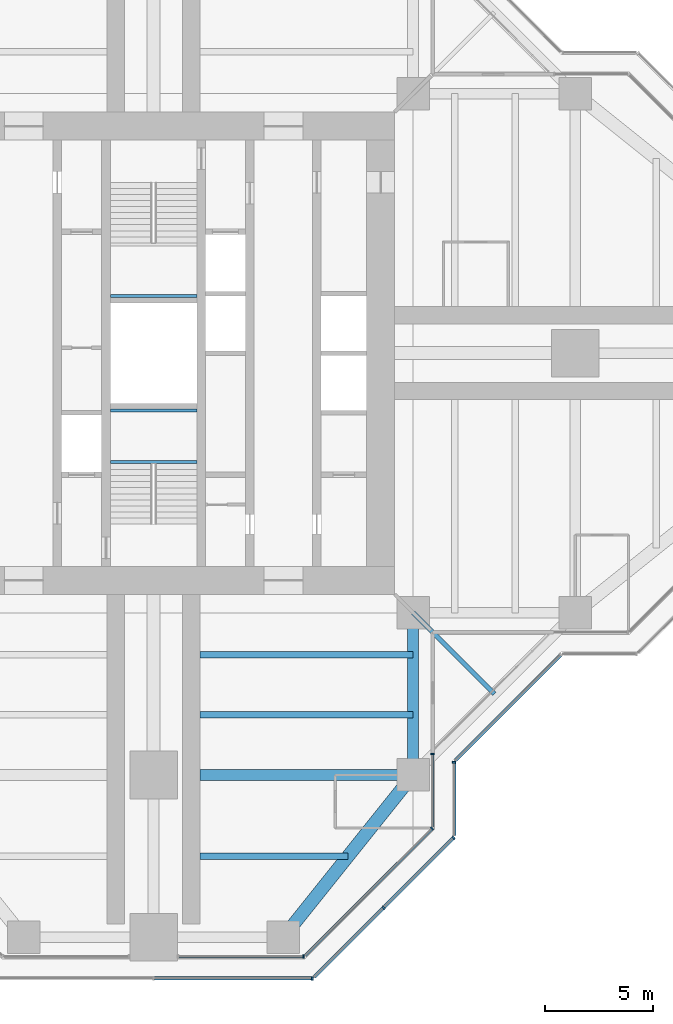
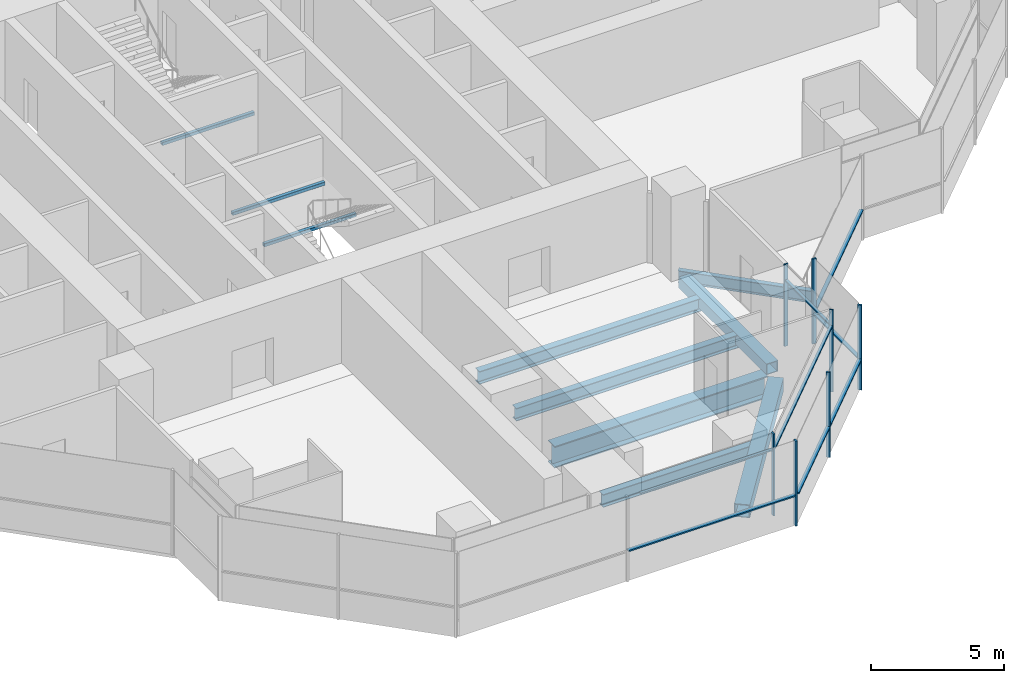
# One storey, part 4 of 17: 15 members, 10 beams, 7 elements without a shape of their own.
"""IFC4 building model written with IfcOpenShell, lengths in metres."""

from ifc_helpers import new_model, si_unit, direction, frame, origin, origin_2d, place, context, subcontext, project, spatial, rectangle, hollow_rectangle, i_section, extrude, material, material_profile, profile_set, type_object, element, aggregate, save


model = new_model("IFC4")

# Units and contexts
model_context = context("Model", 3, precision=1e-05, world=origin(), true_north=direction((0.0, 1.0)))
body_context = subcontext(model_context, "Body", "Model", "MODEL_VIEW")
ifc_project = project(units=[si_unit("LENGTHUNIT", "METRE"), si_unit("AREAUNIT", "SQUARE_METRE"), si_unit("VOLUMEUNIT", "CUBIC_METRE"), si_unit("PLANEANGLEUNIT", "RADIAN"), si_unit("MASSUNIT", "GRAM", prefix="KILO")], contexts=[model_context])

# Site, building, storey
site_placement = place(None, origin())
site = spatial("IfcSite", under=ifc_project, at=site_placement, CompositionType="ELEMENT")
building_placement = place(site_placement, origin())
building = spatial("IfcBuilding", under=site, at=building_placement, Name="Mizan Broadcast Tower", CompositionType="ELEMENT")
storey_placement = place(building_placement, frame((0.0, 0.0, 259.5)))
storey = spatial("IfcBuildingStorey", under=building, at=storey_placement, Name="L61", CompositionType="ELEMENT", Elevation=259.5)

# Beams
ifc_material_1 = material(Name="Steel S355", Category="steel")
ifc_material_profile_1 = material_profile(ifc_material_1, hollow_rectangle(XDim=0.5, YDim=0.5, WallThickness=0.030029296875, at=origin_2d()), Name="BOX 500x500x30")
ifc_profile_set_1 = profile_set([ifc_material_profile_1], Name="Steel S355")
beam_type_1 = type_object("IfcBeamType", Name="EDGE BEAM BOX 500x500x30", PredefinedType="SPANDREL", material=ifc_profile_set_1)
beam_1_placement = place(storey_placement, frame((12.0, -12.449951171875, -0.3798828125), z_axis=(0.0, -1.0, 0.0), x_axis=(1.0, 0.0, 0.0)))
element("IfcBeam", 1, at=beam_1_placement, inside=storey, type_object=beam_type_1, Name="Edge beam BOX 500x500x30 L61 south arm", PredefinedType="SPANDREL", context=body_context, shape_type="SweptSolid", body=[
    extrude(hollow_rectangle(XDim=0.5, YDim=0.5, WallThickness=0.030029296875, at=origin_2d()), origin(), (0.0, 0.0, 1.0), 6.60009765625),
])
ifc_material_2 = material(Name="Steel S355", Category="steel")
ifc_material_profile_2 = material_profile(ifc_material_2, hollow_rectangle(XDim=0.60009765625, YDim=0.60009765625, WallThickness=0.030029296875, at=origin_2d()), Name="BOX 600x600x30")
ifc_profile_set_2 = profile_set([ifc_material_profile_2], Name="Steel S355")
beam_type_2 = type_object("IfcBeamType", Name="EDGE BEAM BOX 600x600x30", PredefinedType="SPANDREL", material=ifc_profile_set_2)
beam_2_placement = place(storey_placement, frame((11.639892578125, -19.949951171875, -0.429931640625), z_axis=(-0.624673911726, -0.780885717636, 0.0), x_axis=(0.780885717636, -0.624673911726, 0.0)))
element("IfcBeam", 2, at=beam_2_placement, inside=storey, type_object=beam_type_2, Name="Edge beam BOX 600x600x30 L61 south arm", PredefinedType="SPANDREL", context=body_context, shape_type="SweptSolid", body=[
    extrude(hollow_rectangle(XDim=0.60009765625, YDim=0.60009765625, WallThickness=0.030029296875, at=origin_2d()), origin(), (0.0, 0.0, 1.0), 8.4521484375),
])
ifc_material_3 = material(Name="Steel S460", Category="steel")
ifc_material_profile_3 = material_profile(ifc_material_3, i_section(OverallWidth=0.5, OverallDepth=1.0, WebThickness=0.02490234375, FlangeThickness=0.050048828125, at=origin_2d()), Name="WPG 1000x500")
ifc_profile_set_3 = profile_set([ifc_material_profile_3], Name="Steel S460")
beam_type_3 = type_object("IfcBeamType", Name="GIRDER WPG 1000x500", PredefinedType="BEAM", material=ifc_profile_set_3)
beam_3_placement = place(storey_placement, frame((11.408935546875, -19.5, -0.6298828125), z_axis=(-1.0, 0.0, 0.0), x_axis=(0.0, -1.0, 0.0)))
element("IfcBeam", 3, at=beam_3_placement, inside=storey, type_object=beam_type_3, Name="Girder WPG 1000x500 L61 south arm", PredefinedType="BEAM", context=body_context, shape_type="SweptSolid", body=[
    extrude(i_section(OverallWidth=0.5, OverallDepth=1.0, WebThickness=0.02490234375, FlangeThickness=0.050048828125, at=origin_2d()), origin(), (0.0, 0.0, 1.0), 9.259033203125),
])

# Curtain wall, member
ifc_material_4 = material(Name="Aluminium framed glazing", Category="aluminium")
curtain_wall_type_1 = type_object("IfcCurtainWallType", Name="INNER SKIN HIGH ZONE", PredefinedType="USERDEFINED", material=ifc_material_4)
curtain_wall_1_placement = place(storey_placement, origin())
curtain_wall_1 = element("IfcCurtainWall", 4, at=curtain_wall_1_placement, inside=storey, type_object=curtain_wall_type_1, Name="Inner skin high zone L61 S end", ObjectType="INNER SKIN HIGH ZONE", PredefinedType="USERDEFINED")
ifc_material_5 = material(Name="Aluminium, pale anodised", Category="aluminium")
ifc_material_profile_4 = material_profile(ifc_material_5, rectangle(XDim=0.159912109375, YDim=0.06005859375, at=origin_2d()), Name="MULLION 160x60")
ifc_profile_set_4 = profile_set([ifc_material_profile_4], Name="Aluminium, pale anodised")
member_type_1 = type_object("IfcMemberType", Name="INNER SKIN MULLION 60x160", PredefinedType="MULLION", material=ifc_profile_set_4)
member_1_placement = place(storey_placement, frame((6.928466796875, -27.89990234375, 0.0), z_axis=(0.0, 0.0, 1.0), x_axis=(0.0, 1.0, 0.0)))
member_1 = element("IfcMember", 5, at=member_1_placement, type_object=member_type_1, Name="Inner skin high zone L61 S end mullion 2", PredefinedType="MULLION", context=body_context, shape_type="SweptSolid", body=[
    extrude(rectangle(XDim=0.159912109375, YDim=0.06005859375, at=origin_2d()), origin(), (0.0, 0.0, 1.0), 3.77001953125),
])

curtain_wall_2_placement = place(storey_placement, origin())
curtain_wall_2 = element("IfcCurtainWall", 6, at=curtain_wall_2_placement, inside=storey, type_object=curtain_wall_type_1, Name="Inner skin high zone L61 S chamfer", ObjectType="INNER SKIN HIGH ZONE", PredefinedType="USERDEFINED")
member_2_placement = place(storey_placement, frame((12.87890625, -21.979736328125, 0.0), z_axis=(0.0, 0.0, 1.0), x_axis=(-0.707106781187, 0.707106781187, 0.0)))
member_2 = element("IfcMember", 7, at=member_2_placement, type_object=member_type_1, Name="Inner skin high zone L61 S chamfer mullion 2", PredefinedType="MULLION", context=body_context, shape_type="SweptSolid", body=[
    extrude(rectangle(XDim=0.159912109375, YDim=0.06005859375, at=origin_2d()), origin(), (0.0, 0.0, 1.0), 3.77001953125),
])

curtain_wall_3_placement = place(storey_placement, origin())
curtain_wall_3 = element("IfcCurtainWall", 8, at=curtain_wall_3_placement, inside=storey, type_object=curtain_wall_type_1, Name="Inner skin high zone L61 S side", ObjectType="INNER SKIN HIGH ZONE", PredefinedType="USERDEFINED")
member_3_placement = place(storey_placement, frame((12.89990234375, -18.530029296875, 0.0), z_axis=(0.0, 0.0, 1.0), x_axis=(-1.0, 0.0, 0.0)))
member_3 = element("IfcMember", 9, at=member_3_placement, type_object=member_type_1, Name="Inner skin high zone L61 S side mullion 2", PredefinedType="MULLION", context=body_context, shape_type="SweptSolid", body=[
    extrude(rectangle(XDim=0.159912109375, YDim=0.06005859375, at=origin_2d()), origin(), (0.0, 0.0, 1.0), 3.77001953125),
])

# Member
ifc_material_6 = material(Name="Aluminium, pale anodised", Category="aluminium")
ifc_material_profile_5 = material_profile(ifc_material_6, rectangle(XDim=0.1201171875, YDim=0.06005859375, at=origin_2d()), Name="TRANSOM 120x60")
ifc_profile_set_5 = profile_set([ifc_material_profile_5], Name="Aluminium, pale anodised")
member_type_2 = type_object("IfcMemberType", Name="INNER SKIN TRANSOM 60x120", PredefinedType="USERDEFINED", material=ifc_profile_set_5)
member_4_placement = place(storey_placement, frame((1.159912109375, -27.89990234375, 3.030029296875), z_axis=(1.0, 0.0, 0.0), x_axis=(0.0, 1.0, 0.0)))
member_4 = element("IfcMember", 10, at=member_4_placement, type_object=member_type_2, Name="Inner skin high zone L61 S end transom 1.1", ObjectType="TRANSOM", PredefinedType="USERDEFINED", context=body_context, shape_type="SweptSolid", body=[
    extrude(rectangle(XDim=0.1201171875, YDim=0.06005859375, at=origin_2d()), origin(), (0.0, 0.0, 1.0), 5.73876953125),
])

aggregate(curtain_wall_1, [member_1, member_4])

member_5_placement = place(storey_placement, frame((7.0009765625, -27.857666015625, 3.030029296875), z_axis=(0.707106781187, 0.707106781187, 0.0), x_axis=(-0.707106781187, 0.707106781187, 0.0)))
member_5 = element("IfcMember", 11, at=member_5_placement, type_object=member_type_2, Name="Inner skin high zone L61 S chamfer transom 1.1", ObjectType="TRANSOM", PredefinedType="USERDEFINED", context=body_context, shape_type="SweptSolid", body=[
    extrude(rectangle(XDim=0.1201171875, YDim=0.06005859375, at=origin_2d()), origin(), (0.0, 0.0, 1.0), 8.28271484375),
])

aggregate(curtain_wall_2, [member_2, member_5])

member_6_placement = place(storey_placement, frame((12.89990234375, -21.898681640625, 3.030029296875), z_axis=(0.0, 1.0, 0.0), x_axis=(-1.0, 0.0, 0.0)))
member_6 = element("IfcMember", 12, at=member_6_placement, type_object=member_type_2, Name="Inner skin high zone L61 S side transom 1.1", ObjectType="TRANSOM", PredefinedType="USERDEFINED", context=body_context, shape_type="SweptSolid", body=[
    extrude(rectangle(XDim=0.1201171875, YDim=0.06005859375, at=origin_2d()), origin(), (0.0, 0.0, 1.0), 3.338623046875),
])

aggregate(curtain_wall_3, [member_3, member_6])

# Beams
ifc_material_7 = material(Name="Steel S355", Category="steel")
ifc_material_profile_6 = material_profile(ifc_material_7, hollow_rectangle(XDim=0.14990234375, YDim=0.14990234375, WallThickness=0.008056640625, InnerFilletRadius=0.008056640625, OuterFilletRadius=0.011962890625, at=origin_2d()), Name="SHS 150x150x8")
ifc_profile_set_6 = profile_set([ifc_material_profile_6], Name="Steel S355")
beam_type_4 = type_object("IfcBeamType", Name="LANDING TRIMMER SHS 150x150x8", PredefinedType="BEAM", material=ifc_profile_set_6)
for number, where, z_axis, x_axis, name in (
    (13, (-2.0, -5.02490234375, 1.675048828125), (1.0, 0.0, 0.0), (0.0, 1.0, 0.0), "Stair A landing trimmer L61"),
    (14, (-2.0, -2.64990234375, 1.675048828125), (1.0, 0.0, 0.0), (0.0, 1.0, 0.0), "Stair A landing trimmer L61"),
    (15, (2.0, 2.64990234375, 1.675048828125), (-1.0, 0.0, 0.0), (0.0, -1.0, 0.0), "Stair B landing trimmer L61"),
):
    element("IfcBeam", number, at=place(storey_placement, frame(where, z_axis=z_axis, x_axis=x_axis)), inside=storey, type_object=beam_type_4, Name=name, PredefinedType="BEAM", context=body_context, shape_type="SweptSolid", body=[
        extrude(hollow_rectangle(XDim=0.14990234375, YDim=0.14990234375, WallThickness=0.008056640625, InnerFilletRadius=0.008056640625, OuterFilletRadius=0.011962890625, at=origin_2d()), origin(), (0.0, 0.0, 1.0), 4.0),
    ])

# Curtain wall, member
ifc_material_8 = material(Name="Aluminium framed glazing", Category="aluminium")
curtain_wall_type_2 = type_object("IfcCurtainWallType", Name="OUTER SKIN", PredefinedType="USERDEFINED", material=ifc_material_8)
curtain_wall_4_placement = place(storey_placement, origin())
curtain_wall_4 = element("IfcCurtainWall", 16, at=curtain_wall_4_placement, inside=storey, type_object=curtain_wall_type_2, Name="Outer skin L61 S end", ObjectType="OUTER SKIN", PredefinedType="USERDEFINED")
ifc_material_9 = material(Name="Aluminium, pale anodised", Category="aluminium")
ifc_material_profile_7 = material_profile(ifc_material_9, rectangle(XDim=0.159912109375, YDim=0.080078125, at=origin_2d()), Name="MULLION 160x80")
ifc_profile_set_7 = profile_set([ifc_material_profile_7], Name="Aluminium, pale anodised")
member_type_3 = type_object("IfcMemberType", Name="OUTER SKIN MULLION 80x160", PredefinedType="MULLION", material=ifc_profile_set_7)
member_7_placement = place(storey_placement, frame((7.332763671875, -28.89990234375, 0.0), z_axis=(0.0, 0.0, 1.0), x_axis=(0.0, 1.0, 0.0)))
member_7 = element("IfcMember", 17, at=member_7_placement, type_object=member_type_3, Name="Outer skin L61 S end mullion 3", PredefinedType="MULLION", context=body_context, shape_type="SweptSolid", body=[
    extrude(rectangle(XDim=0.159912109375, YDim=0.080078125, at=origin_2d()), origin(), (0.0, 0.0, 1.0), 3.89990234375),
])

# Curtain wall, members
curtain_wall_5_placement = place(storey_placement, origin())
curtain_wall_5 = element("IfcCurtainWall", 18, at=curtain_wall_5_placement, inside=storey, type_object=curtain_wall_type_2, Name="Outer skin L61 S chamfer", ObjectType="OUTER SKIN", PredefinedType="USERDEFINED")
member_8_placement = place(storey_placement, frame((10.636474609375, -25.636474609375, 0.0), z_axis=(0.0, 0.0, 1.0), x_axis=(-0.707106781187, 0.707106781187, 0.0)))
member_8 = element("IfcMember", 19, at=member_8_placement, type_object=member_type_3, Name="Outer skin L61 S chamfer mullion 2", PredefinedType="MULLION", context=body_context, shape_type="SweptSolid", body=[
    extrude(rectangle(XDim=0.159912109375, YDim=0.080078125, at=origin_2d()), origin(), (0.0, 0.0, 1.0), 3.89990234375),
])
member_9_placement = place(storey_placement, frame((13.871826171875, -22.401123046875, 0.0), z_axis=(0.0, 0.0, 1.0), x_axis=(-0.707106781187, 0.707106781187, 0.0)))
member_9 = element("IfcMember", 20, at=member_9_placement, type_object=member_type_3, Name="Outer skin L61 S chamfer mullion 3", PredefinedType="MULLION", context=body_context, shape_type="SweptSolid", body=[
    extrude(rectangle(XDim=0.159912109375, YDim=0.080078125, at=origin_2d()), origin(), (0.0, 0.0, 1.0), 3.89990234375),
])

# Curtain wall, member
curtain_wall_6_placement = place(storey_placement, origin())
curtain_wall_6 = element("IfcCurtainWall", 21, at=curtain_wall_6_placement, inside=storey, type_object=curtain_wall_type_2, Name="Outer skin L61 S side", ObjectType="OUTER SKIN", PredefinedType="USERDEFINED")
member_10_placement = place(storey_placement, frame((13.89990234375, -18.912841796875, 0.0), z_axis=(0.0, 0.0, 1.0), x_axis=(-1.0, 0.0, 0.0)))
member_10 = element("IfcMember", 22, at=member_10_placement, type_object=member_type_3, Name="Outer skin L61 S side mullion 2", PredefinedType="MULLION", context=body_context, shape_type="SweptSolid", body=[
    extrude(rectangle(XDim=0.159912109375, YDim=0.080078125, at=origin_2d()), origin(), (0.0, 0.0, 1.0), 3.89990234375),
])

# Member
ifc_material_10 = material(Name="Aluminium, pale anodised", Category="aluminium")
ifc_material_profile_8 = material_profile(ifc_material_10, rectangle(XDim=0.159912109375, YDim=0.06005859375, at=origin_2d()), Name="TRANSOM 160x60")
ifc_profile_set_8 = profile_set([ifc_material_profile_8], Name="Aluminium, pale anodised")
member_type_4 = type_object("IfcMemberType", Name="OUTER SKIN TRANSOM 60x160", PredefinedType="USERDEFINED", material=ifc_profile_set_8)
member_11_placement = place(storey_placement, frame((0.0400390625, -28.89990234375, 1.39990234375), z_axis=(1.0, 0.0, 0.0), x_axis=(0.0, 1.0, 0.0)))
member_11 = element("IfcMember", 23, at=member_11_placement, type_object=member_type_4, Name="Outer skin L61 S end transom 2.1", ObjectType="TRANSOM", PredefinedType="USERDEFINED", context=body_context, shape_type="SweptSolid", body=[
    extrude(rectangle(XDim=0.159912109375, YDim=0.06005859375, at=origin_2d()), origin(), (0.0, 0.0, 1.0), 7.252685546875),
])

aggregate(curtain_wall_4, [member_7, member_11])

member_12_placement = place(storey_placement, frame((7.429443359375, -28.843505859375, 1.39990234375), z_axis=(0.707106781187, 0.707106781187, 0.0), x_axis=(-0.707106781187, 0.707106781187, 0.0)))
member_12 = element("IfcMember", 24, at=member_12_placement, type_object=member_type_4, Name="Outer skin L61 S chamfer transom 1.1", ObjectType="TRANSOM", PredefinedType="USERDEFINED", context=body_context, shape_type="SweptSolid", body=[
    extrude(rectangle(XDim=0.159912109375, YDim=0.06005859375, at=origin_2d()), origin(), (0.0, 0.0, 1.0), 4.495361328125),
])

member_13_placement = place(storey_placement, frame((10.664794921875, -25.608154296875, 1.39990234375), z_axis=(0.707106781187, 0.707106781187, 0.0), x_axis=(-0.707106781187, 0.707106781187, 0.0)))
member_13 = element("IfcMember", 25, at=member_13_placement, type_object=member_type_4, Name="Outer skin L61 S chamfer transom 2.1", ObjectType="TRANSOM", PredefinedType="USERDEFINED", context=body_context, shape_type="SweptSolid", body=[
    extrude(rectangle(XDim=0.159912109375, YDim=0.06005859375, at=origin_2d()), origin(), (0.0, 0.0, 1.0), 4.495361328125),
])

aggregate(curtain_wall_5, [member_8, member_9, member_12, member_13])

member_14_placement = place(storey_placement, frame((13.89990234375, -22.292724609375, 1.39990234375), z_axis=(0.0, 1.0, 0.0), x_axis=(-1.0, 0.0, 0.0)))
member_14 = element("IfcMember", 26, at=member_14_placement, type_object=member_type_4, Name="Outer skin L61 S side transom 1.1", ObjectType="TRANSOM", PredefinedType="USERDEFINED", context=body_context, shape_type="SweptSolid", body=[
    extrude(rectangle(XDim=0.159912109375, YDim=0.06005859375, at=origin_2d()), origin(), (0.0, 0.0, 1.0), 3.33984375),
])

aggregate(curtain_wall_6, [member_10, member_14])

# Curtain wall, member
curtain_wall_7_placement = place(storey_placement, origin())
curtain_wall_7 = element("IfcCurtainWall", 27, at=curtain_wall_7_placement, inside=storey, type_object=curtain_wall_type_2, Name="Outer skin L61 E chamfer", ObjectType="OUTER SKIN", PredefinedType="USERDEFINED")
member_15_placement = place(storey_placement, frame((13.95654296875, -18.816162109375, 1.39990234375), z_axis=(0.707106781187, 0.707106781187, 0.0), x_axis=(-0.707106781187, 0.707106781187, 0.0)))
member_15 = element("IfcMember", 28, at=member_15_placement, type_object=member_type_4, Name="Outer skin L61 E chamfer transom 1.1", ObjectType="TRANSOM", PredefinedType="USERDEFINED", context=body_context, shape_type="SweptSolid", body=[
    extrude(rectangle(XDim=0.159912109375, YDim=0.06005859375, at=origin_2d()), origin(), (0.0, 0.0, 1.0), 6.87255859375),
])
aggregate(curtain_wall_7, [member_15])

# Beams
ifc_material_11 = material(Name="Steel S355", Category="steel")
ifc_material_profile_9 = material_profile(ifc_material_11, i_section(OverallWidth=0.300048828125, OverallDepth=0.590087890625, WebThickness=0.012939453125, FlangeThickness=0.02490234375, FilletRadius=0.027099609375, at=origin_2d()), Name="HEA 600")
ifc_profile_set_9 = profile_set([ifc_material_profile_9], Name="Steel S355")
beam_type_5 = type_object("IfcBeamType", Name="SECONDARY BEAM HEA 600", PredefinedType="JOIST", material=ifc_profile_set_9)
for number, where, z_axis, x_axis, name in (
    (29, (12.0, -13.933349609375, -0.425048828125), (-1.0, 0.0, 0.0), (0.0, -1.0, 0.0), "Secondary beam HEA 600 L61 south arm"),
    (30, (12.0, -16.716552734375, -0.425048828125), (-1.0, 0.0, 0.0), (0.0, -1.0, 0.0), "Secondary beam HEA 600 L61 south arm"),
):
    element("IfcBeam", number, at=place(storey_placement, frame(where, z_axis=z_axis, x_axis=x_axis)), inside=storey, type_object=beam_type_5, Name=name, PredefinedType="JOIST", context=body_context, shape_type="SweptSolid", body=[
        extrude(i_section(OverallWidth=0.300048828125, OverallDepth=0.590087890625, WebThickness=0.012939453125, FlangeThickness=0.02490234375, FilletRadius=0.027099609375, at=origin_2d()), origin(), (0.0, 0.0, 1.0), 9.85009765625),
    ])
beam_4_placement = place(storey_placement, frame((9.0, -23.25, -0.425048828125), z_axis=(-1.0, 0.0, 0.0), x_axis=(0.0, -1.0, 0.0)))
element("IfcBeam", 31, at=beam_4_placement, inside=storey, type_object=beam_type_5, Name="Secondary beam HEA 600 L61 south arm", PredefinedType="JOIST", context=body_context, shape_type="SweptSolid", body=[
    extrude(i_section(OverallWidth=0.300048828125, OverallDepth=0.590087890625, WebThickness=0.012939453125, FlangeThickness=0.02490234375, FilletRadius=0.027099609375, at=origin_2d()), origin(), (0.0, 0.0, 1.0), 6.85009765625),
])
ifc_material_12 = material(Name="Steel S355", Category="steel")
ifc_material_profile_10 = material_profile(ifc_material_12, i_section(OverallWidth=0.2099609375, OverallDepth=0.550048828125, WebThickness=0.010986328125, FlangeThickness=0.01708984375, FilletRadius=0.02392578125, at=origin_2d()), Name="IPE 550")
ifc_profile_set_10 = profile_set([ifc_material_profile_10], Name="Steel S355")
beam_type_6 = type_object("IfcBeamType", Name="SECONDARY BEAM IPE 550", PredefinedType="JOIST", material=ifc_profile_set_10)
beam_5_placement = place(storey_placement, frame((12.0, -12.0, -0.405029296875), z_axis=(0.707106781187, -0.707106781187, 0.0), x_axis=(0.707106781187, 0.707106781187, 0.0)))
element("IfcBeam", 32, at=beam_5_placement, inside=storey, type_object=beam_type_6, Name="Winter garden beam L61 S", PredefinedType="JOIST", context=body_context, shape_type="SweptSolid", body=[
    extrude(i_section(OverallWidth=0.2099609375, OverallDepth=0.550048828125, WebThickness=0.010986328125, FlangeThickness=0.01708984375, FilletRadius=0.02392578125, at=origin_2d()), origin(), (0.0, 0.0, 1.0), 5.30322265625),
])

save(model, "model.ifc")
